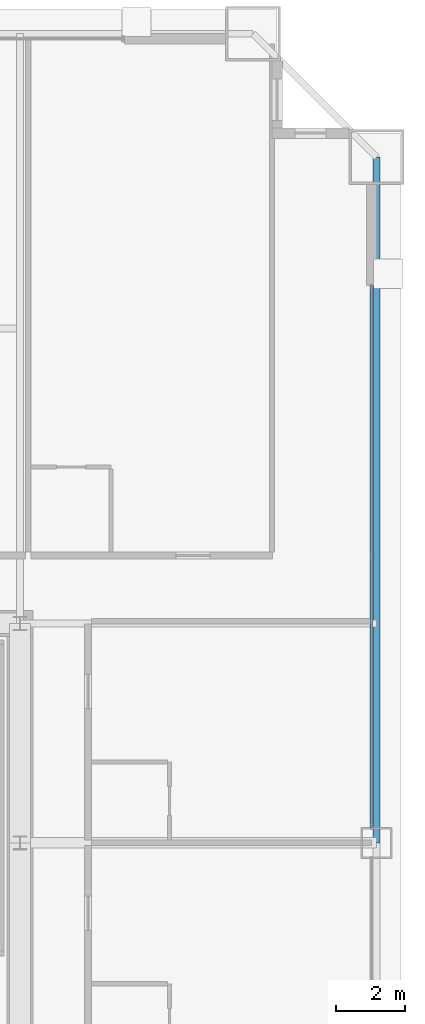
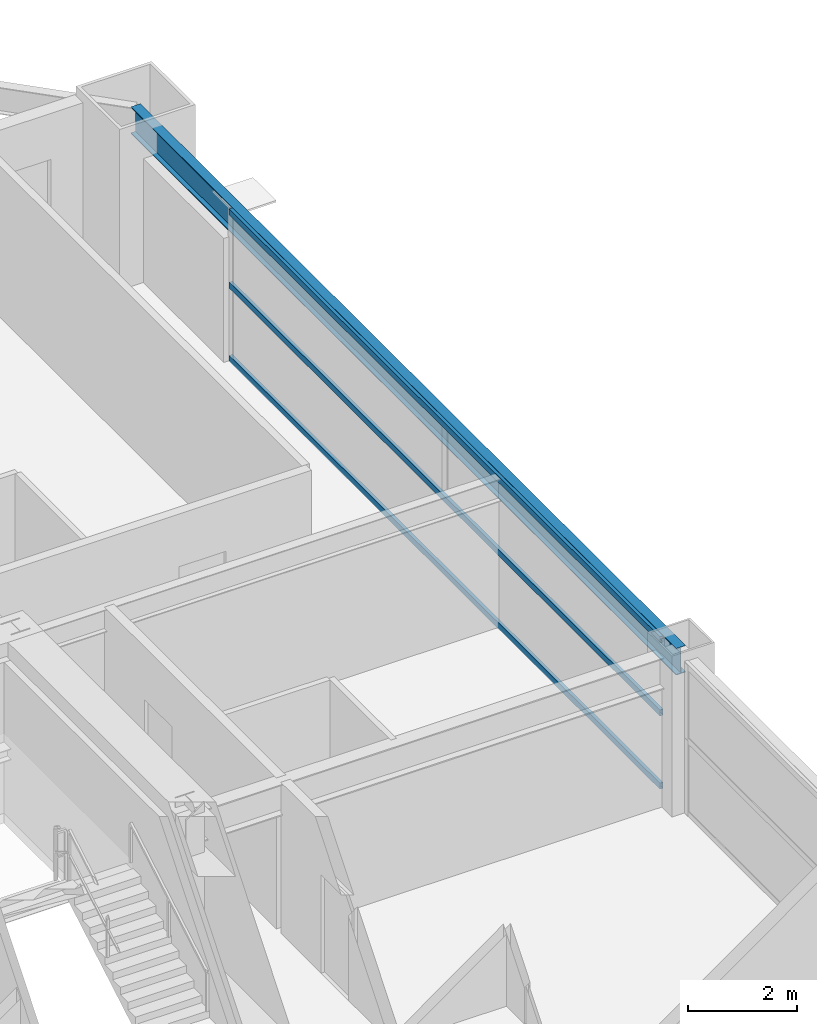
# One storey, part 30 of 39: 3 members, 1 beam, 1 element without a shape of its own.
"""IFC4 building model written with IfcOpenShell, lengths in metres."""

from ifc_helpers import new_model, si_unit, direction, frame, origin, origin_2d, place, context, subcontext, project, spatial, hollow_rectangle, i_section, extrude, source, transform, mapped, material, layer, layer_set, material_profile, profile_set, type_object, element, aggregate, save


model = new_model("IFC4")

# Units and contexts
model_context = context("Model", 3, precision=1e-05, world=origin(), true_north=direction((0.0, 1.0)))
body_context = subcontext(model_context, "Body", "Model", "MODEL_VIEW")
ifc_project = project(units=[si_unit("LENGTHUNIT", "METRE"), si_unit("AREAUNIT", "SQUARE_METRE"), si_unit("VOLUMEUNIT", "CUBIC_METRE"), si_unit("PLANEANGLEUNIT", "RADIAN"), si_unit("MASSUNIT", "GRAM", prefix="KILO"), si_unit("THERMODYNAMICTEMPERATUREUNIT", "KELVIN"), si_unit("POWERUNIT", "WATT")], contexts=[model_context])

# Site, building, storey
site_placement = place(None, origin())
site = spatial("IfcSite", under=ifc_project, at=site_placement, CompositionType="ELEMENT")
building_placement = place(site_placement, origin())
building = spatial("IfcBuilding", under=site, at=building_placement, Name="Yuzanri Waterfront Tower", CompositionType="ELEMENT")
storey_placement = place(building_placement, frame((0.0, 0.0, 141.60009765625)))
storey = spatial("IfcBuildingStorey", under=building, at=storey_placement, Name="L37", CompositionType="ELEMENT", Elevation=141.60009765625)

# Beam
ifc_material_1 = material(Name="Steel Q355B", Category="steel")
ifc_material_profile_1 = material_profile(ifc_material_1, i_section(OverallWidth=0.199951171875, OverallDepth=0.60009765625, WebThickness=0.010986328125, FlangeThickness=0.01708984375, at=origin_2d()), Name="HN 600x200x11x17")
ifc_profile_set_1 = profile_set([ifc_material_profile_1], Name="Steel Q355B")
beam_type = type_object("IfcBeamType", Name="Perimeter Spandrel Q355B HN 600x200", PredefinedType="SPANDREL", material=ifc_profile_set_1)
shared_shape_1 = source(origin(), body_context, "Body", "SweptSolid", [
    extrude(i_section(OverallWidth=0.199951171875, OverallDepth=0.60009765625, WebThickness=0.010986328125, FlangeThickness=0.01708984375, at=origin_2d()), origin(), (0.0, 0.0, 1.0), 20.0),
])
beam_placement = place(storey_placement, frame((60.60009765625, 25.800048828125, 3.079833984375), z_axis=(0.0, 1.0, 0.0), x_axis=(-1.0, 0.0, 0.0)))
element("IfcBeam", 1, at=beam_placement, inside=storey, type_object=beam_type, Name="L37 Perimeter Spandrel E2-E3", PredefinedType="SPANDREL", context=body_context, shape_type="MappedRepresentation", body=[
    mapped(shared_shape_1, transform((0.0, 0.0, 0.0), scale=1.0)),
])

# Curtain wall, members
ifc_material_2 = material(Name="Anodized Architectural Bronze", Category="metal")
ifc_layer = layer(ifc_material_2, 0.159912109375)
ifc_layer_set = layer_set([ifc_layer], Name="Anodized Architectural Bronze")
curtain_wall_type = type_object("IfcCurtainWallType", Name="Anodized Bronze Hotel Upper-Tier Solar-Control Unitized Curtain Wall 7800", PredefinedType="NOTDEFINED", material=ifc_layer_set)
curtain_wall_placement = place(storey_placement, origin())
curtain_wall = element("IfcCurtainWall", 2, at=curtain_wall_placement, inside=storey, type_object=curtain_wall_type, Name="L37 Curtain Wall CW-L37-ER", PredefinedType="NOTDEFINED")
ifc_material_3 = material(Name="Anodized Architectural Bronze", Category="metal")
ifc_material_profile_2 = material_profile(ifc_material_3, hollow_rectangle(XDim=0.070068359375, YDim=0.135009765625, WallThickness=0.00341796875, at=origin_2d()), Name="CWT 70x135")
ifc_profile_set_2 = profile_set([ifc_material_profile_2], Name="Anodized Architectural Bronze")
member_type = type_object("IfcMemberType", Name="Anodized Bronze Standard Curtain-Wall Transom 70x135", PredefinedType="USERDEFINED", material=ifc_profile_set_2)
shared_shape_2 = source(origin(), body_context, "Body", "SweptSolid", [
    extrude(hollow_rectangle(XDim=0.070068359375, YDim=0.135009765625, WallThickness=0.00341796875, at=origin_2d()), origin(), (0.0, 0.0, 1.0), 15.800048828125),
])
member_1_placement = place(storey_placement, frame((60.449951171875, 26.25, 0.0498046875), z_axis=(0.0, 1.0, 0.0), x_axis=(-1.0, 0.0, 0.0)))
member_1 = element("IfcMember", 3, at=member_1_placement, type_object=member_type, Name="CW-L37-ER Transom 1", ObjectType="TRANSOM", PredefinedType="USERDEFINED", context=body_context, shape_type="MappedRepresentation", body=[
    mapped(shared_shape_2, transform((0.0, 0.0, 0.0), scale=1.0)),
])
member_2_placement = place(storey_placement, frame((60.449951171875, 26.25, 1.68994140625), z_axis=(0.0, 1.0, 0.0), x_axis=(-1.0, 0.0, 0.0)))
member_2 = element("IfcMember", 4, at=member_2_placement, type_object=member_type, Name="CW-L37-ER Transom 2", ObjectType="TRANSOM", PredefinedType="USERDEFINED", context=body_context, shape_type="MappedRepresentation", body=[
    mapped(shared_shape_2, transform((0.0, 0.0, 0.0), scale=1.0)),
])
member_3_placement = place(storey_placement, frame((60.449951171875, 26.25, 3.329833984375), z_axis=(0.0, 1.0, 0.0), x_axis=(-1.0, 0.0, 0.0)))
member_3 = element("IfcMember", 5, at=member_3_placement, type_object=member_type, Name="CW-L37-ER Transom 3", ObjectType="TRANSOM", PredefinedType="USERDEFINED", context=body_context, shape_type="MappedRepresentation", body=[
    mapped(shared_shape_2, transform((0.0, 0.0, 0.0), scale=1.0)),
])
aggregate(curtain_wall, [member_1, member_2, member_3])

save(model, "model.ifc")
